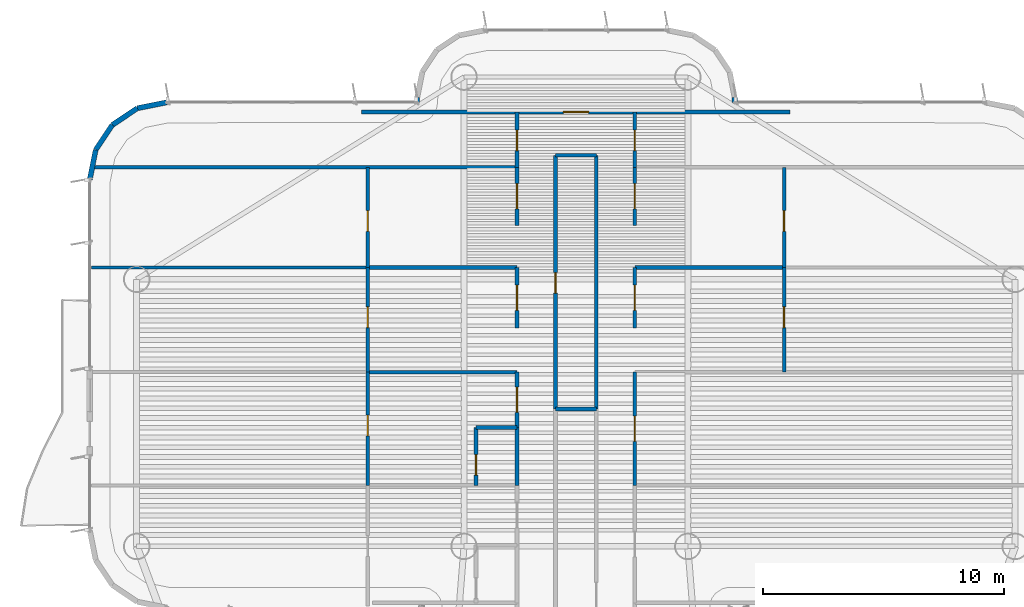
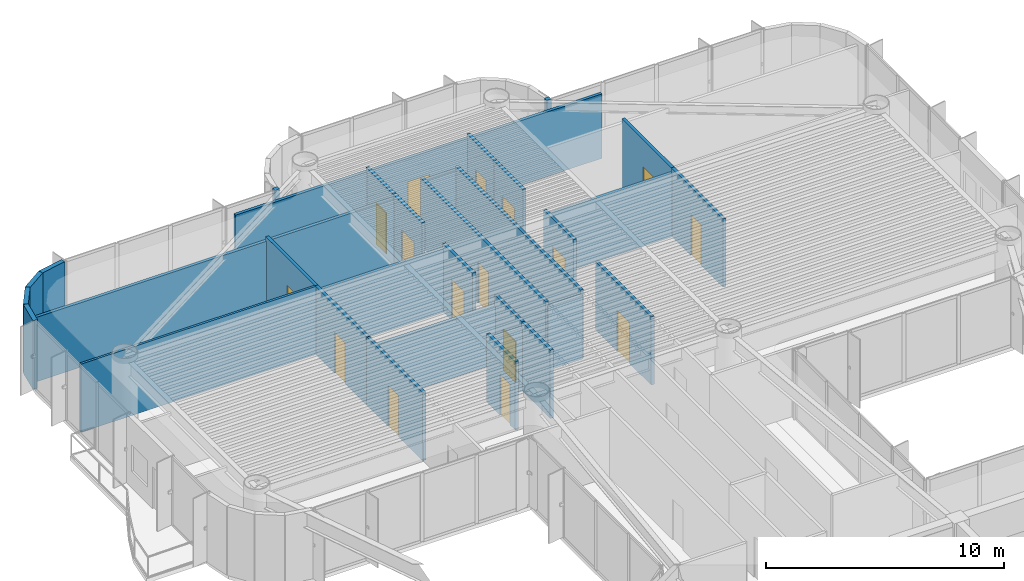
# One storey, part 11 of 14: 32 walls, 16 doors, 16 openings.
"""IFC4 building model written with IfcOpenShell, lengths in metres."""

from ifc_helpers import new_model, si_unit, direction, frame, frame_2d, origin, origin_2d, place, context, subcontext, project, spatial, rectangle, extrude, source, transform, mapped, material, layer, layer_set, type_object, element, fill, save


model = new_model("IFC4")

# Units and contexts
model_context = context("Model", 3, precision=1e-05, world=origin(), true_north=direction((0.0, 1.0)))
body_context = subcontext(model_context, "Body", "Model", "MODEL_VIEW")
ifc_project = project(units=[si_unit("LENGTHUNIT", "METRE"), si_unit("AREAUNIT", "SQUARE_METRE"), si_unit("VOLUMEUNIT", "CUBIC_METRE"), si_unit("PLANEANGLEUNIT", "RADIAN"), si_unit("MASSUNIT", "GRAM", prefix="KILO")], contexts=[model_context])

# Site, building, storey
site_placement = place(None, origin())
site = spatial("IfcSite", under=ifc_project, at=site_placement, CompositionType="ELEMENT")
building_placement = place(site_placement, origin())
building = spatial("IfcBuilding", under=site, at=building_placement, Name="Brelvock Crest Care Tower", CompositionType="ELEMENT")
storey_placement = place(building_placement, frame((0.0, 0.0, 194.219970703125)))
storey = spatial("IfcBuildingStorey", under=building, at=storey_placement, Name="L49", CompositionType="ELEMENT", Elevation=194.219970703125)

# Walls
ifc_material_1 = material(Name="Precast concrete N40 (40 MPa)", Category="concrete")
ifc_layer_1 = layer(ifc_material_1, 0.215087890625, Name="WL-EX2")
ifc_layer_set_1 = layer_set([ifc_layer_1], Name="Precast concrete N40 (40 MPa)")
wall_type_1 = type_object("IfcWallType", Name="WL-EX2", PredefinedType="SOLIDWALL", material=ifc_layer_set_1)
for number, where, z_axis, x_axis, name in (
    (1, (15.800048828125, 50.199951171875, 0.0), (0.0, 0.0, 1.0), (0.195138390419, 0.980775717779, 0.0), "L49 Rounded Corner Wall 18"),
    (2, (16.043701171875, 51.424560546875, 0.0), (0.0, 0.0, 1.0), (0.555557312883, 0.831478245117, 0.0), "L49 Rounded Corner Wall 19"),
    (3, (16.7373046875, 52.462646484375, 0.0), (0.0, 0.0, 1.0), (0.831387912822, 0.555692485475, 0.0), "L49 Rounded Corner Wall 20"),
    (4, (17.775390625, 53.156494140625, 0.0), (0.0, 0.0, 1.0), (0.980813122964, 0.194950295773, 0.0), "L49 Rounded Corner Wall 21"),
):
    element("IfcWall", number, at=place(storey_placement, frame(where, z_axis=z_axis, x_axis=x_axis)), inside=storey, type_object=wall_type_1, Name=name, PredefinedType="SOLIDWALL", context=body_context, shape_type="SweptSolid", body=[
        extrude(rectangle(XDim=1.24853515625, YDim=0.215087890625, at=frame_2d((0.624267578125, 0.0))), origin(), (0.0, 0.0, 1.0), 3.530029296875),
    ])
for number, where, z_axis, x_axis, name in (
    (5, (29.39990234375, 53.39990234375, 0.0), (0.0, 0.0, 1.0), (0.0, 1.0, 0.0), "L49 Rounded Corner Wall 23"),
    (6, (42.60009765625, 53.60009765625, 0.0), (0.0, 0.0, 1.0), (0.0, -1.0, 0.0), "L49 Rounded Corner Wall 33"),
):
    element("IfcWall", number, at=place(storey_placement, frame(where, z_axis=z_axis, x_axis=x_axis)), inside=storey, type_object=wall_type_1, Name=name, PredefinedType="SOLIDWALL", context=body_context, shape_type="SweptSolid", body=[
        extrude(rectangle(XDim=0.2001953125, YDim=0.215087890625, at=frame_2d((0.10009765625, 0.0))), origin(), (0.0, 0.0, 1.0), 3.530029296875),
    ])
ifc_material_2 = material(Name="Masonry Blockwork Acoustic Partition", Category="masonry")
ifc_layer_2 = layer(ifc_material_2, 0.14990234375, Name="WL-INT1")
ifc_layer_set_2 = layer_set([ifc_layer_2], Name="Masonry Blockwork Acoustic Partition")
wall_type_2 = type_object("IfcWallType", Name="WL-INT1", PredefinedType="PARTITIONING", material=ifc_layer_set_2)
wall_1_placement = place(storey_placement, frame((35.14990234375, 40.659912109375, 0.0), z_axis=(0.0, 0.0, 1.0), x_axis=(1.0, 0.0, 0.0)))
element("IfcWall", 7, at=wall_1_placement, inside=storey, type_object=wall_type_2, Name="L49 Interior Wall WL-BX-L49-ISKT-S", PredefinedType="PARTITIONING", context=body_context, shape_type="SweptSolid", body=[
    extrude(rectangle(XDim=1.7001953125, YDim=0.14990234375, at=frame_2d((0.85009765625, 0.0))), origin(), (0.0, 0.0, 1.0), 3.259033203125),
])
wall_2_placement = place(storey_placement, frame((27.35009765625, 42.193115234375, 0.0), z_axis=(0.0, 0.0, 1.0), x_axis=(1.0, 0.0, 0.0)))
element("IfcWall", 8, at=wall_2_placement, inside=storey, type_object=wall_type_2, Name="L49 Interior Wall WL-BX-L49-CS-WS2-N", PredefinedType="PARTITIONING", context=body_context, shape_type="SweptSolid", body=[
    extrude(rectangle(XDim=6.199951171875, YDim=0.14990234375, at=frame_2d((3.10009765625, 0.0))), origin(), (0.0, 0.0, 1.0), 2.98193359375),
])
for number, where, z_axis, x_axis, name in (
    (9, (27.35009765625, 46.537109375, 0.0), (0.0, 0.0, 1.0), (1.0, 0.0, 0.0), "L49 Interior Wall WL-BX-L49-CS-WS3-N"),
    (10, (38.449951171875, 46.537109375, 0.0), (0.0, 0.0, 1.0), (1.0, 0.0, 0.0), "L49 Interior Wall WL-BX-L49-CS-ES3-N"),
):
    element("IfcWall", number, at=place(storey_placement, frame(where, z_axis=z_axis, x_axis=x_axis)), inside=storey, type_object=wall_type_2, Name=name, PredefinedType="PARTITIONING", context=body_context, shape_type="SweptSolid", body=[
        extrude(rectangle(XDim=6.199951171875, YDim=0.14990234375, at=frame_2d((3.10009765625, 0.0))), origin(), (0.0, 0.0, 1.0), 3.259033203125),
    ])
wall_3_placement = place(storey_placement, frame((15.98095703125, 50.699951171875, 0.0), z_axis=(0.0, 0.0, 1.0), x_axis=(1.0, 0.0, 0.0)))
element("IfcWall", 11, at=wall_3_placement, inside=storey, type_object=wall_type_2, Name="L49 Interior Wall WL-BX-L49-NALW-S", PredefinedType="PARTITIONING", context=body_context, shape_type="SweptSolid", body=[
    extrude(rectangle(XDim=17.569091796875, YDim=0.14990234375, at=frame_2d((8.78466796875, 0.0))), origin(), (0.0, 0.0, 1.0), 3.30810546875),
])
wall_4_placement = place(storey_placement, frame((35.14990234375, 51.199951171875, 0.0), z_axis=(0.0, 0.0, 1.0), x_axis=(1.0, 0.0, 0.0)))
element("IfcWall", 12, at=wall_4_placement, inside=storey, type_object=wall_type_2, Name="L49 Interior Wall WL-BX-L49-ISKT-N", PredefinedType="PARTITIONING", context=body_context, shape_type="SweptSolid", body=[
    extrude(rectangle(XDim=1.7001953125, YDim=0.14990234375, at=frame_2d((0.85009765625, 0.0))), origin(), (0.0, 0.0, 1.0), 3.30810546875),
])

# Wall, opening, door
wall_5_placement = place(storey_placement, frame((27.10009765625, 53.0, 0.0), z_axis=(0.0, 0.0, 1.0), x_axis=(1.0, 0.0, 0.0)))
wall_5 = element("IfcWall", 13, at=wall_5_placement, inside=storey, type_object=wall_type_2, Name="L49 Interior Wall WL-RM-L49-NHUB", PredefinedType="PARTITIONING", context=body_context, shape_type="SweptSolid", body=[
    extrude(rectangle(XDim=17.7998046875, YDim=0.14990234375, at=frame_2d((8.89990234375, 0.0))), origin(), (0.0, 0.0, 1.0), 3.30810546875),
])
opening_1_placement = place(wall_5_placement, frame((8.375, 0.0, 0.0)))
opening_1 = element("IfcOpeningElement", 14, at=opening_1_placement, cuts=wall_5, Name="Opening CLD-1", PredefinedType="OPENING", context=body_context, shape_type="SweptSolid", body=[
    extrude(rectangle(XDim=1.050048828125, YDim=2.10009765625, at=origin_2d()), frame((0.52490234375, 0.0849609375, 1.050048828125), z_axis=(0.0, -1.0, 0.0), x_axis=(1.0, 0.0, 0.0)), (0.0, 0.0, 1.0), 0.169921875),
])
ifc_material_3 = material(Name="Engineered Hardwood Timber", Category="wood")
door_type_1 = type_object("IfcDoorType", Name="DR-CLN1", OperationType="NOTDEFINED", PredefinedType="DOOR", material=ifc_material_3)
shared_shape_1 = source(origin(), body_context, "Body", "SweptSolid", [
    extrude(rectangle(XDim=1.050048828125, YDim=2.10009765625, at=origin_2d()), frame((0.52490234375, 0.02490234375, 1.050048828125), z_axis=(0.0, -1.0, 0.0), x_axis=(1.0, 0.0, 0.0)), (0.0, 0.0, 1.0), 0.050048828125),
])
door_1_placement = place(opening_1_placement, origin())
door_1 = element("IfcDoor", 15, at=door_1_placement, inside=storey, type_object=door_type_1, Name="L49 North Crest Conservatory Lounge Door NHUB", OperationType="SINGLE_SWING_LEFT", OverallHeight=2.10009765625, OverallWidth=1.050048828125, PredefinedType="DOOR", context=body_context, shape_type="MappedRepresentation", body=[
    mapped(shared_shape_1, transform((0.0, 0.0, 0.0), x_axis=(1.0, 0.0, 0.0), y_axis=(0.0, 1.0, 0.0), z_axis=(0.0, 0.0, 1.0), scale=1.0)),
])
fill(opening_1, door_1)

wall_6_placement = place(storey_placement, frame((27.35009765625, 37.487060546875, 0.0), z_axis=(0.0, 0.0, 1.0), x_axis=(0.0, 1.0, 0.0)))
wall_6 = element("IfcWall", 16, at=wall_6_placement, inside=storey, type_object=wall_type_2, Name="L49 Interior Wall WL-RM-L49-WS2S", PredefinedType="PARTITIONING", context=body_context, shape_type="SweptSolid", body=[
    extrude(rectangle(XDim=4.7060546875, YDim=0.14990234375, at=frame_2d((2.35302734375, 0.0))), origin(), (0.0, 0.0, 1.0), 3.5),
])
opening_2_placement = place(wall_6_placement, frame((2.052978515625, 0.0, 0.0)))
opening_2 = element("IfcOpeningElement", 17, at=opening_2_placement, cuts=wall_6, Name="Opening ID-1", PredefinedType="OPENING", context=body_context, shape_type="SweptSolid", body=[
    extrude(rectangle(XDim=0.860107421875, YDim=2.10009765625, at=origin_2d()), frame((0.43017578125, 0.0849609375, 1.050048828125), z_axis=(0.0, -1.0, 0.0), x_axis=(1.0, 0.0, 0.0)), (0.0, 0.0, 1.0), 0.169921875),
])
door_type_2 = type_object("IfcDoorType", Name="DR-INT1", OperationType="NOTDEFINED", PredefinedType="DOOR", material=ifc_material_3)
shared_shape_2 = source(origin(), body_context, "Body", "SweptSolid", [
    extrude(rectangle(XDim=0.860107421875, YDim=2.10009765625, at=origin_2d()), frame((0.43017578125, 0.02490234375, 1.050048828125), z_axis=(0.0, -1.0, 0.0), x_axis=(1.0, 0.0, 0.0)), (0.0, 0.0, 1.0), 0.050048828125),
])
door_2_placement = place(opening_2_placement, origin())
door_2 = element("IfcDoor", 18, at=door_2_placement, inside=storey, type_object=door_type_2, Name="L49 Skilled Nursing Mobility Store Door WS2S", OperationType="SINGLE_SWING_LEFT", OverallHeight=2.10009765625, OverallWidth=0.860107421875, PredefinedType="DOOR", context=body_context, shape_type="MappedRepresentation", body=[
    mapped(shared_shape_2, transform((0.0, 0.0, 0.0), x_axis=(1.0, 0.0, 0.0), y_axis=(0.0, 1.0, 0.0), z_axis=(0.0, 0.0, 1.0), scale=1.0)),
])
fill(opening_2, door_2)

wall_7_placement = place(storey_placement, frame((27.35009765625, 42.193115234375, 0.0), z_axis=(0.0, 0.0, 1.0), x_axis=(0.0, 1.0, 0.0)))
wall_7 = element("IfcWall", 19, at=wall_7_placement, inside=storey, type_object=wall_type_2, Name="L49 Interior Wall WL-RM-L49-WS3S", PredefinedType="PARTITIONING", context=body_context, shape_type="SweptSolid", body=[
    extrude(rectangle(XDim=4.343994140625, YDim=0.14990234375, at=frame_2d((2.171875, 0.0))), origin(), (0.0, 0.0, 1.0), 3.5),
])
opening_3_placement = place(wall_7_placement, frame((1.846923828125, 0.0, 0.0)))
opening_3 = element("IfcOpeningElement", 20, at=opening_3_placement, cuts=wall_7, Name="Opening ID-1", PredefinedType="OPENING", context=body_context, shape_type="SweptSolid", body=[
    extrude(rectangle(XDim=0.860107421875, YDim=2.10009765625, at=origin_2d()), frame((0.43017578125, 0.0849609375, 1.050048828125), z_axis=(0.0, -1.0, 0.0), x_axis=(1.0, 0.0, 0.0)), (0.0, 0.0, 1.0), 0.169921875),
])
door_3_placement = place(opening_3_placement, origin())
door_3 = element("IfcDoor", 21, at=door_3_placement, inside=storey, type_object=door_type_2, Name="L49 Skilled Nursing Mobility Store Door WS3S", OperationType="SINGLE_SWING_LEFT", OverallHeight=2.10009765625, OverallWidth=0.860107421875, PredefinedType="DOOR", context=body_context, shape_type="MappedRepresentation", body=[
    mapped(shared_shape_2, transform((0.0, 0.0, 0.0), x_axis=(1.0, 0.0, 0.0), y_axis=(0.0, 1.0, 0.0), z_axis=(0.0, 0.0, 1.0), scale=1.0)),
])
fill(opening_3, door_3)

wall_8_placement = place(storey_placement, frame((27.35009765625, 46.537109375, 0.0), z_axis=(0.0, 0.0, 1.0), x_axis=(0.0, 1.0, 0.0)))
wall_8 = element("IfcWall", 22, at=wall_8_placement, inside=storey, type_object=wall_type_2, Name="L49 Interior Wall WL-RM-L49-WS4S", PredefinedType="PARTITIONING", context=body_context, shape_type="SweptSolid", body=[
    extrude(rectangle(XDim=4.162841796875, YDim=0.14990234375, at=frame_2d((2.08154296875, 0.0))), origin(), (0.0, 0.0, 1.0), 3.5),
])
opening_4_placement = place(wall_8_placement, frame((1.5029296875, 0.0, 0.0)))
opening_4 = element("IfcOpeningElement", 23, at=opening_4_placement, cuts=wall_8, Name="Opening ID-1", PredefinedType="OPENING", context=body_context, shape_type="SweptSolid", body=[
    extrude(rectangle(XDim=0.860107421875, YDim=2.10009765625, at=origin_2d()), frame((0.43017578125, 0.0849609375, 1.050048828125), z_axis=(0.0, -1.0, 0.0), x_axis=(1.0, 0.0, 0.0)), (0.0, 0.0, 1.0), 0.169921875),
])
door_4_placement = place(opening_4_placement, origin())
door_4 = element("IfcDoor", 24, at=door_4_placement, inside=storey, type_object=door_type_2, Name="L49 Skilled Nursing Mobility Store Door WS4S", OperationType="SINGLE_SWING_LEFT", OverallHeight=2.10009765625, OverallWidth=0.860107421875, PredefinedType="DOOR", context=body_context, shape_type="MappedRepresentation", body=[
    mapped(shared_shape_2, transform((0.0, 0.0, 0.0), x_axis=(1.0, 0.0, 0.0), y_axis=(0.0, 1.0, 0.0), z_axis=(0.0, 0.0, 1.0), scale=1.0)),
])
fill(opening_4, door_4)

wall_9_placement = place(storey_placement, frame((33.550048828125, 39.886962890625, 0.0), z_axis=(0.0, 0.0, 1.0), x_axis=(0.0, 1.0, 0.0)))
wall_9 = element("IfcWall", 25, at=wall_9_placement, inside=storey, type_object=wall_type_2, Name="L49 Interior Wall WL-CENT-L49-WS2", PredefinedType="PARTITIONING", context=body_context, shape_type="SweptSolid", body=[
    extrude(rectangle(XDim=2.30615234375, YDim=0.14990234375, at=frame_2d((1.153076171875, 0.0))), origin(), (0.0, 0.0, 1.0), 3.5),
])
opening_5_placement = place(wall_9_placement, frame((0.633056640625, 0.0, 0.0)))
opening_5 = element("IfcOpeningElement", 26, at=opening_5_placement, cuts=wall_9, Name="Opening CD-1", PredefinedType="OPENING", context=body_context, shape_type="SweptSolid", body=[
    extrude(rectangle(XDim=1.050048828125, YDim=2.10009765625, at=origin_2d()), frame((0.52490234375, 0.0849609375, 1.050048828125), z_axis=(0.0, -1.0, 0.0), x_axis=(1.0, 0.0, 0.0)), (0.0, 0.0, 1.0), 0.169921875),
])
door_type_3 = type_object("IfcDoorType", Name="DR-CARE1", OperationType="NOTDEFINED", PredefinedType="DOOR", material=ifc_material_3)
shared_shape_3 = source(origin(), body_context, "Body", "SweptSolid", [
    extrude(rectangle(XDim=1.050048828125, YDim=2.10009765625, at=origin_2d()), frame((0.52490234375, 0.02490234375, 1.050048828125), z_axis=(0.0, -1.0, 0.0), x_axis=(1.0, 0.0, 0.0)), (0.0, 0.0, 1.0), 0.050048828125),
])
door_5_placement = place(opening_5_placement, origin())
door_5 = element("IfcDoor", 27, at=door_5_placement, inside=storey, type_object=door_type_3, Name="L49 Care Suite Door WS2", OperationType="SINGLE_SWING_LEFT", OverallHeight=2.10009765625, OverallWidth=1.050048828125, PredefinedType="DOOR", context=body_context, shape_type="MappedRepresentation", body=[
    mapped(shared_shape_3, transform((0.0, 0.0, 0.0), x_axis=(1.0, 0.0, 0.0), y_axis=(0.0, 1.0, 0.0), z_axis=(0.0, 0.0, 1.0), scale=1.0)),
])
fill(opening_5, door_5)

wall_10_placement = place(storey_placement, frame((33.550048828125, 44.01708984375, 0.0), z_axis=(0.0, 0.0, 1.0), x_axis=(0.0, 1.0, 0.0)))
wall_10 = element("IfcWall", 28, at=wall_10_placement, inside=storey, type_object=wall_type_2, Name="L49 Interior Wall WL-CENT-L49-WS3", PredefinedType="PARTITIONING", context=body_context, shape_type="SweptSolid", body=[
    extrude(rectangle(XDim=2.52001953125, YDim=0.14990234375, at=frame_2d((1.260009765625, 0.0))), origin(), (0.0, 0.0, 1.0), 3.5),
])
opening_6_placement = place(wall_10_placement, frame((0.739990234375, 0.0, 0.0)))
opening_6 = element("IfcOpeningElement", 29, at=opening_6_placement, cuts=wall_10, Name="Opening CD-1", PredefinedType="OPENING", context=body_context, shape_type="SweptSolid", body=[
    extrude(rectangle(XDim=1.050048828125, YDim=2.10009765625, at=origin_2d()), frame((0.52490234375, 0.0849609375, 1.050048828125), z_axis=(0.0, -1.0, 0.0), x_axis=(1.0, 0.0, 0.0)), (0.0, 0.0, 1.0), 0.169921875),
])
door_6_placement = place(opening_6_placement, origin())
door_6 = element("IfcDoor", 30, at=door_6_placement, inside=storey, type_object=door_type_3, Name="L49 Care Suite Door WS3", OperationType="SINGLE_SWING_LEFT", OverallHeight=2.10009765625, OverallWidth=1.050048828125, PredefinedType="DOOR", context=body_context, shape_type="MappedRepresentation", body=[
    mapped(shared_shape_3, transform((0.0, 0.0, 0.0), x_axis=(1.0, 0.0, 0.0), y_axis=(0.0, 1.0, 0.0), z_axis=(0.0, 0.0, 1.0), scale=1.0)),
])
fill(opening_6, door_6)

wall_11_placement = place(storey_placement, frame((33.550048828125, 48.284912109375, 0.0), z_axis=(0.0, 0.0, 1.0), x_axis=(0.0, 1.0, 0.0)))
wall_11 = element("IfcWall", 31, at=wall_11_placement, inside=storey, type_object=wall_type_2, Name="L49 Interior Wall WL-CENT-L49-WS4", PredefinedType="PARTITIONING", context=body_context, shape_type="SweptSolid", body=[
    extrude(rectangle(XDim=2.4150390625, YDim=0.14990234375, at=frame_2d((1.20751953125, 0.0))), origin(), (0.0, 0.0, 1.0), 3.5),
])
opening_7_placement = place(wall_11_placement, frame((0.68798828125, 0.0, 0.0)))
opening_7 = element("IfcOpeningElement", 32, at=opening_7_placement, cuts=wall_11, Name="Opening CD-1", PredefinedType="OPENING", context=body_context, shape_type="SweptSolid", body=[
    extrude(rectangle(XDim=1.050048828125, YDim=2.10009765625, at=origin_2d()), frame((0.52490234375, 0.0849609375, 1.050048828125), z_axis=(0.0, -1.0, 0.0), x_axis=(1.0, 0.0, 0.0)), (0.0, 0.0, 1.0), 0.169921875),
])
door_7_placement = place(opening_7_placement, origin())
door_7 = element("IfcDoor", 33, at=door_7_placement, inside=storey, type_object=door_type_3, Name="L49 Care Suite Door WS4", OperationType="SINGLE_SWING_LEFT", OverallHeight=2.10009765625, OverallWidth=1.050048828125, PredefinedType="DOOR", context=body_context, shape_type="MappedRepresentation", body=[
    mapped(shared_shape_3, transform((0.0, 0.0, 0.0), x_axis=(1.0, 0.0, 0.0), y_axis=(0.0, 1.0, 0.0), z_axis=(0.0, 0.0, 1.0), scale=1.0)),
])
fill(opening_7, door_7)

wall_12_placement = place(storey_placement, frame((33.550048828125, 50.699951171875, 0.0), z_axis=(0.0, 0.0, 1.0), x_axis=(0.0, 1.0, 0.0)))
wall_12 = element("IfcWall", 34, at=wall_12_placement, inside=storey, type_object=wall_type_2, Name="L49 Interior Wall WL-RM-L49-NALW", PredefinedType="PARTITIONING", context=body_context, shape_type="SweptSolid", body=[
    extrude(rectangle(XDim=2.300048828125, YDim=0.14990234375, at=frame_2d((1.14990234375, 0.0))), origin(), (0.0, 0.0, 1.0), 3.5),
])
opening_8_placement = place(wall_12_placement, frame((0.68994140625, 0.0, 0.0)))
opening_8 = element("IfcOpeningElement", 35, at=opening_8_placement, cuts=wall_12, Name="Opening ID-1", PredefinedType="OPENING", context=body_context, shape_type="SweptSolid", body=[
    extrude(rectangle(XDim=0.860107421875, YDim=2.10009765625, at=origin_2d()), frame((0.43017578125, 0.0849609375, 1.050048828125), z_axis=(0.0, -1.0, 0.0), x_axis=(1.0, 0.0, 0.0)), (0.0, 0.0, 1.0), 0.169921875),
])
door_8_placement = place(opening_8_placement, origin())
door_8 = element("IfcDoor", 36, at=door_8_placement, inside=storey, type_object=door_type_2, Name="L49 North West Sun Alcove Door NALW", OperationType="SINGLE_SWING_LEFT", OverallHeight=2.10009765625, OverallWidth=0.860107421875, PredefinedType="DOOR", context=body_context, shape_type="MappedRepresentation", body=[
    mapped(shared_shape_2, transform((0.0, 0.0, 0.0), x_axis=(1.0, 0.0, 0.0), y_axis=(0.0, 1.0, 0.0), z_axis=(0.0, 0.0, 1.0), scale=1.0)),
])
fill(opening_8, door_8)

wall_13_placement = place(storey_placement, frame((35.14990234375, 40.659912109375, 0.0), z_axis=(0.0, 0.0, 1.0), x_axis=(0.0, 1.0, 0.0)))
wall_13 = element("IfcWall", 37, at=wall_13_placement, inside=storey, type_object=wall_type_2, Name="L49 Interior Wall WL-RM-L49-ISKT", PredefinedType="PARTITIONING", context=body_context, shape_type="SweptSolid", body=[
    extrude(rectangle(XDim=10.5400390625, YDim=0.14990234375, at=frame_2d((5.27001953125, 0.0))), origin(), (0.0, 0.0, 1.0), 3.5),
])
opening_9_placement = place(wall_13_placement, frame((4.81005859375, 0.0, 0.0)))
opening_9 = element("IfcOpeningElement", 38, at=opening_9_placement, cuts=wall_13, Name="Opening ID-1", PredefinedType="OPENING", context=body_context, shape_type="SweptSolid", body=[
    extrude(rectangle(XDim=0.860107421875, YDim=2.10009765625, at=origin_2d()), frame((0.43017578125, 0.0849609375, 1.050048828125), z_axis=(0.0, -1.0, 0.0), x_axis=(1.0, 0.0, 0.0)), (0.0, 0.0, 1.0), 0.169921875),
])
door_9_placement = place(opening_9_placement, origin())
door_9 = element("IfcDoor", 39, at=door_9_placement, inside=storey, type_object=door_type_2, Name="L49 Communal Tea and Nutrition Pantry Door ISKT", OperationType="SINGLE_SWING_LEFT", OverallHeight=2.10009765625, OverallWidth=0.860107421875, PredefinedType="DOOR", context=body_context, shape_type="MappedRepresentation", body=[
    mapped(shared_shape_2, transform((0.0, 0.0, 0.0), x_axis=(1.0, 0.0, 0.0), y_axis=(0.0, 1.0, 0.0), z_axis=(0.0, 0.0, 1.0), scale=1.0)),
])
fill(opening_9, door_9)

# Wall
wall_14_placement = place(storey_placement, frame((36.85009765625, 40.659912109375, 0.0), z_axis=(0.0, 0.0, 1.0), x_axis=(0.0, 1.0, 0.0)))
element("IfcWall", 40, at=wall_14_placement, inside=storey, type_object=wall_type_2, Name="L49 Interior Wall WL-BX-L49-ISKT-E", PredefinedType="PARTITIONING", context=body_context, shape_type="SweptSolid", body=[
    extrude(rectangle(XDim=10.5400390625, YDim=0.14990234375, at=frame_2d((5.27001953125, 0.0))), origin(), (0.0, 0.0, 1.0), 3.5),
])

# Wall, opening, door
wall_15_placement = place(storey_placement, frame((38.449951171875, 37.487060546875, 0.0), z_axis=(0.0, 0.0, 1.0), x_axis=(0.0, 1.0, 0.0)))
wall_15 = element("IfcWall", 41, at=wall_15_placement, inside=storey, type_object=wall_type_2, Name="L49 Interior Wall WL-RM-L49-ESW2", PredefinedType="PARTITIONING", context=body_context, shape_type="SweptSolid", body=[
    extrude(rectangle(XDim=4.7060546875, YDim=0.14990234375, at=frame_2d((2.35302734375, 0.0))), origin(), (0.0, 0.0, 1.0), 3.5),
])
opening_10_placement = place(wall_15_placement, frame((1.827880859375, 0.0, 0.0)))
opening_10 = element("IfcOpeningElement", 42, at=opening_10_placement, cuts=wall_15, Name="Opening CD-1", PredefinedType="OPENING", context=body_context, shape_type="SweptSolid", body=[
    extrude(rectangle(XDim=1.050048828125, YDim=2.10009765625, at=origin_2d()), frame((0.52490234375, 0.0849609375, 1.050048828125), z_axis=(0.0, -1.0, 0.0), x_axis=(1.0, 0.0, 0.0)), (0.0, 0.0, 1.0), 0.169921875),
])
door_10_placement = place(opening_10_placement, origin())
door_10 = element("IfcDoor", 43, at=door_10_placement, inside=storey, type_object=door_type_3, Name="L49 Sub-Acute Geriatric Therapy Clinic Door ESW2", OperationType="SINGLE_SWING_LEFT", OverallHeight=2.10009765625, OverallWidth=1.050048828125, PredefinedType="DOOR", context=body_context, shape_type="MappedRepresentation", body=[
    mapped(shared_shape_3, transform((0.0, 0.0, 0.0), x_axis=(1.0, 0.0, 0.0), y_axis=(0.0, 1.0, 0.0), z_axis=(0.0, 0.0, 1.0), scale=1.0)),
])
fill(opening_10, door_10)

wall_16_placement = place(storey_placement, frame((38.449951171875, 44.01708984375, 0.0), z_axis=(0.0, 0.0, 1.0), x_axis=(0.0, 1.0, 0.0)))
wall_16 = element("IfcWall", 44, at=wall_16_placement, inside=storey, type_object=wall_type_2, Name="L49 Interior Wall WL-CENT-L49-ES3", PredefinedType="PARTITIONING", context=body_context, shape_type="SweptSolid", body=[
    extrude(rectangle(XDim=2.52001953125, YDim=0.14990234375, at=frame_2d((1.260009765625, 0.0))), origin(), (0.0, 0.0, 1.0), 3.5),
])
opening_11_placement = place(wall_16_placement, frame((0.739990234375, 0.0, 0.0)))
opening_11 = element("IfcOpeningElement", 45, at=opening_11_placement, cuts=wall_16, Name="Opening CD-1", PredefinedType="OPENING", context=body_context, shape_type="SweptSolid", body=[
    extrude(rectangle(XDim=1.050048828125, YDim=2.10009765625, at=origin_2d()), frame((0.52490234375, 0.0849609375, 1.050048828125), z_axis=(0.0, -1.0, 0.0), x_axis=(1.0, 0.0, 0.0)), (0.0, 0.0, 1.0), 0.169921875),
])
door_11_placement = place(opening_11_placement, origin())
door_11 = element("IfcDoor", 46, at=door_11_placement, inside=storey, type_object=door_type_3, Name="L49 Care Suite Door ES3", OperationType="SINGLE_SWING_LEFT", OverallHeight=2.10009765625, OverallWidth=1.050048828125, PredefinedType="DOOR", context=body_context, shape_type="MappedRepresentation", body=[
    mapped(shared_shape_3, transform((0.0, 0.0, 0.0), x_axis=(1.0, 0.0, 0.0), y_axis=(0.0, 1.0, 0.0), z_axis=(0.0, 0.0, 1.0), scale=1.0)),
])
fill(opening_11, door_11)

wall_17_placement = place(storey_placement, frame((38.449951171875, 48.284912109375, 0.0), z_axis=(0.0, 0.0, 1.0), x_axis=(0.0, 1.0, 0.0)))
wall_17 = element("IfcWall", 47, at=wall_17_placement, inside=storey, type_object=wall_type_2, Name="L49 Interior Wall WL-CENT-L49-ES4", PredefinedType="PARTITIONING", context=body_context, shape_type="SweptSolid", body=[
    extrude(rectangle(XDim=2.4150390625, YDim=0.14990234375, at=frame_2d((1.20751953125, 0.0))), origin(), (0.0, 0.0, 1.0), 3.5),
])
opening_12_placement = place(wall_17_placement, frame((0.68798828125, 0.0, 0.0)))
opening_12 = element("IfcOpeningElement", 48, at=opening_12_placement, cuts=wall_17, Name="Opening CD-1", PredefinedType="OPENING", context=body_context, shape_type="SweptSolid", body=[
    extrude(rectangle(XDim=1.050048828125, YDim=2.10009765625, at=origin_2d()), frame((0.52490234375, 0.0849609375, 1.050048828125), z_axis=(0.0, -1.0, 0.0), x_axis=(1.0, 0.0, 0.0)), (0.0, 0.0, 1.0), 0.169921875),
])
door_12_placement = place(opening_12_placement, origin())
door_12 = element("IfcDoor", 49, at=door_12_placement, inside=storey, type_object=door_type_3, Name="L49 Care Suite Door ES4", OperationType="SINGLE_SWING_LEFT", OverallHeight=2.10009765625, OverallWidth=1.050048828125, PredefinedType="DOOR", context=body_context, shape_type="MappedRepresentation", body=[
    mapped(shared_shape_3, transform((0.0, 0.0, 0.0), x_axis=(1.0, 0.0, 0.0), y_axis=(0.0, 1.0, 0.0), z_axis=(0.0, 0.0, 1.0), scale=1.0)),
])
fill(opening_12, door_12)

wall_18_placement = place(storey_placement, frame((38.449951171875, 50.699951171875, 0.0), z_axis=(0.0, 0.0, 1.0), x_axis=(0.0, 1.0, 0.0)))
wall_18 = element("IfcWall", 50, at=wall_18_placement, inside=storey, type_object=wall_type_2, Name="L49 Interior Wall WL-RM-L49-NALE", PredefinedType="PARTITIONING", context=body_context, shape_type="SweptSolid", body=[
    extrude(rectangle(XDim=2.300048828125, YDim=0.14990234375, at=frame_2d((1.14990234375, 0.0))), origin(), (0.0, 0.0, 1.0), 3.5),
])
opening_13_placement = place(wall_18_placement, frame((0.68994140625, 0.0, 0.0)))
opening_13 = element("IfcOpeningElement", 51, at=opening_13_placement, cuts=wall_18, Name="Opening ID-1", PredefinedType="OPENING", context=body_context, shape_type="SweptSolid", body=[
    extrude(rectangle(XDim=0.860107421875, YDim=2.10009765625, at=origin_2d()), frame((0.43017578125, 0.0849609375, 1.050048828125), z_axis=(0.0, -1.0, 0.0), x_axis=(1.0, 0.0, 0.0)), (0.0, 0.0, 1.0), 0.169921875),
])
door_13_placement = place(opening_13_placement, origin())
door_13 = element("IfcDoor", 52, at=door_13_placement, inside=storey, type_object=door_type_2, Name="L49 North East Tea Alcove Door NALE", OperationType="SINGLE_SWING_LEFT", OverallHeight=2.10009765625, OverallWidth=0.860107421875, PredefinedType="DOOR", context=body_context, shape_type="MappedRepresentation", body=[
    mapped(shared_shape_2, transform((0.0, 0.0, 0.0), x_axis=(1.0, 0.0, 0.0), y_axis=(0.0, 1.0, 0.0), z_axis=(0.0, 0.0, 1.0), scale=1.0)),
])
fill(opening_13, door_13)

wall_19_placement = place(storey_placement, frame((44.64990234375, 42.193115234375, 0.0), z_axis=(0.0, 0.0, 1.0), x_axis=(0.0, 1.0, 0.0)))
wall_19 = element("IfcWall", 53, at=wall_19_placement, inside=storey, type_object=wall_type_2, Name="L49 Interior Wall WL-RM-L49-ES3S", PredefinedType="PARTITIONING", context=body_context, shape_type="SweptSolid", body=[
    extrude(rectangle(XDim=4.343994140625, YDim=0.14990234375, at=frame_2d((2.171875, 0.0))), origin(), (0.0, 0.0, 1.0), 3.5),
])
opening_14_placement = place(wall_19_placement, frame((1.846923828125, 0.0, 0.0)))
opening_14 = element("IfcOpeningElement", 54, at=opening_14_placement, cuts=wall_19, Name="Opening ID-1", PredefinedType="OPENING", context=body_context, shape_type="SweptSolid", body=[
    extrude(rectangle(XDim=0.860107421875, YDim=2.10009765625, at=origin_2d()), frame((0.43017578125, 0.0849609375, 1.050048828125), z_axis=(0.0, -1.0, 0.0), x_axis=(1.0, 0.0, 0.0)), (0.0, 0.0, 1.0), 0.169921875),
])
door_14_placement = place(opening_14_placement, origin())
door_14 = element("IfcDoor", 55, at=door_14_placement, inside=storey, type_object=door_type_2, Name="L49 Skilled Nursing Mobility Store Door ES3S", OperationType="SINGLE_SWING_LEFT", OverallHeight=2.10009765625, OverallWidth=0.860107421875, PredefinedType="DOOR", context=body_context, shape_type="MappedRepresentation", body=[
    mapped(shared_shape_2, transform((0.0, 0.0, 0.0), x_axis=(1.0, 0.0, 0.0), y_axis=(0.0, 1.0, 0.0), z_axis=(0.0, 0.0, 1.0), scale=1.0)),
])
fill(opening_14, door_14)

wall_20_placement = place(storey_placement, frame((44.64990234375, 46.537109375, 0.0), z_axis=(0.0, 0.0, 1.0), x_axis=(0.0, 1.0, 0.0)))
wall_20 = element("IfcWall", 56, at=wall_20_placement, inside=storey, type_object=wall_type_2, Name="L49 Interior Wall WL-RM-L49-ES4S", PredefinedType="PARTITIONING", context=body_context, shape_type="SweptSolid", body=[
    extrude(rectangle(XDim=4.162841796875, YDim=0.14990234375, at=frame_2d((2.08154296875, 0.0))), origin(), (0.0, 0.0, 1.0), 3.5),
])
opening_15_placement = place(wall_20_placement, frame((1.5029296875, 0.0, 0.0)))
opening_15 = element("IfcOpeningElement", 57, at=opening_15_placement, cuts=wall_20, Name="Opening ID-1", PredefinedType="OPENING", context=body_context, shape_type="SweptSolid", body=[
    extrude(rectangle(XDim=0.860107421875, YDim=2.10009765625, at=origin_2d()), frame((0.43017578125, 0.0849609375, 1.050048828125), z_axis=(0.0, -1.0, 0.0), x_axis=(1.0, 0.0, 0.0)), (0.0, 0.0, 1.0), 0.169921875),
])
door_15_placement = place(opening_15_placement, origin())
door_15 = element("IfcDoor", 58, at=door_15_placement, inside=storey, type_object=door_type_2, Name="L49 Skilled Nursing Mobility Store Door ES4S", OperationType="SINGLE_SWING_LEFT", OverallHeight=2.10009765625, OverallWidth=0.860107421875, PredefinedType="DOOR", context=body_context, shape_type="MappedRepresentation", body=[
    mapped(shared_shape_2, transform((0.0, 0.0, 0.0), x_axis=(1.0, 0.0, 0.0), y_axis=(0.0, 1.0, 0.0), z_axis=(0.0, 0.0, 1.0), scale=1.0)),
])
fill(opening_15, door_15)

# Walls
ifc_material_4 = material(Name="Gypsum Plasterboard Partition", Category="gypsum")
ifc_layer_3 = layer(ifc_material_4, 0.1201171875, Name="WL-INT2")
ifc_layer_set_3 = layer_set([ifc_layer_3], Name="Gypsum Plasterboard Partition")
wall_type_3 = type_object("IfcWallType", Name="WL-INT2", PredefinedType="PARTITIONING", material=ifc_layer_set_3)
wall_21_placement = place(storey_placement, frame((15.8798828125, 46.537109375, 0.0), z_axis=(0.0, 0.0, 1.0), x_axis=(1.0, 0.0, 0.0)))
element("IfcWall", 59, at=wall_21_placement, inside=storey, type_object=wall_type_3, Name="L49 Interior Wall WL-BX-L49-WS3S-N", PredefinedType="PARTITIONING", context=body_context, shape_type="SweptSolid", body=[
    extrude(rectangle(XDim=11.47021484375, YDim=0.1201171875, at=frame_2d((5.735107421875, 0.0))), origin(), (0.0, 0.0, 1.0), 3.5),
])
ifc_layer_4 = layer(ifc_material_4, 0.159912109375, Name="WL-PLM1")
ifc_layer_set_4 = layer_set([ifc_layer_4], Name="Gypsum Plasterboard Partition")
wall_type_4 = type_object("IfcWallType", Name="WL-PLM1", PredefinedType="PLUMBINGWALL", material=ifc_layer_set_4)
wall_22_placement = place(storey_placement, frame((31.85009765625, 39.886962890625, 0.0), z_axis=(0.0, 0.0, 1.0), x_axis=(1.0, 0.0, 0.0)))
element("IfcWall", 60, at=wall_22_placement, inside=storey, type_object=wall_type_4, Name="L49 Interior Wall WL-CENS2-L49-WS2", PredefinedType="PLUMBINGWALL", context=body_context, shape_type="SweptSolid", body=[
    extrude(rectangle(XDim=1.699951171875, YDim=0.159912109375, at=frame_2d((0.85009765625, 0.0))), origin(), (0.0, 0.0, 1.0), 3.259033203125),
])

# Wall, opening, door
wall_23_placement = place(storey_placement, frame((31.85009765625, 37.487060546875, 0.0), z_axis=(0.0, 0.0, 1.0), x_axis=(0.0, 1.0, 0.0)))
wall_23 = element("IfcWall", 61, at=wall_23_placement, inside=storey, type_object=wall_type_4, Name="L49 Interior Wall WL-CENS1-L49-WS2", PredefinedType="PLUMBINGWALL", context=body_context, shape_type="SweptSolid", body=[
    extrude(rectangle(XDim=2.39990234375, YDim=0.159912109375, at=frame_2d((1.199951171875, 0.0))), origin(), (0.0, 0.0, 1.0), 3.5),
])
opening_16_placement = place(wall_23_placement, frame((0.419921875, 0.0, 0.0)))
opening_16 = element("IfcOpeningElement", 62, at=opening_16_placement, cuts=wall_23, Name="Opening WD-1", PredefinedType="OPENING", context=body_context, shape_type="SweptSolid", body=[
    extrude(rectangle(XDim=0.860107421875, YDim=2.10009765625, at=origin_2d()), frame((0.43017578125, 0.08984375, 1.050048828125), z_axis=(0.0, -1.0, 0.0), x_axis=(1.0, 0.0, 0.0)), (0.0, 0.0, 1.0), 0.179931640625),
])
door_type_4 = type_object("IfcDoorType", Name="DR-WC1", OperationType="NOTDEFINED", PredefinedType="DOOR", material=ifc_material_3)
shared_shape_4 = source(origin(), body_context, "Body", "SweptSolid", [
    extrude(rectangle(XDim=0.860107421875, YDim=2.10009765625, at=origin_2d()), frame((0.43017578125, 0.02490234375, 1.050048828125), z_axis=(0.0, -1.0, 0.0), x_axis=(1.0, 0.0, 0.0)), (0.0, 0.0, 1.0), 0.050048828125),
])
door_16_placement = place(opening_16_placement, origin())
door_16 = element("IfcDoor", 63, at=door_16_placement, inside=storey, type_object=door_type_4, Name="L49 Care En-Suite Door WS2", OperationType="SINGLE_SWING_LEFT", OverallHeight=2.10009765625, OverallWidth=0.860107421875, PredefinedType="DOOR", context=body_context, shape_type="MappedRepresentation", body=[
    mapped(shared_shape_4, transform((0.0, 0.0, 0.0), x_axis=(1.0, 0.0, 0.0), y_axis=(0.0, 1.0, 0.0), z_axis=(0.0, 0.0, 1.0), scale=1.0)),
])
fill(opening_16, door_16)

# Wall
wall_24_placement = place(storey_placement, frame((33.550048828125, 37.487060546875, 0.0), z_axis=(0.0, 0.0, 1.0), x_axis=(0.0, 1.0, 0.0)))
element("IfcWall", 64, at=wall_24_placement, inside=storey, type_object=wall_type_4, Name="L49 Interior Wall WL-CENS0-L49-WS2", PredefinedType="PLUMBINGWALL", context=body_context, shape_type="SweptSolid", body=[
    extrude(rectangle(XDim=2.39990234375, YDim=0.159912109375, at=frame_2d((1.199951171875, 0.0))), origin(), (0.0, 0.0, 1.0), 3.5),
])

save(model, "model.ifc")
